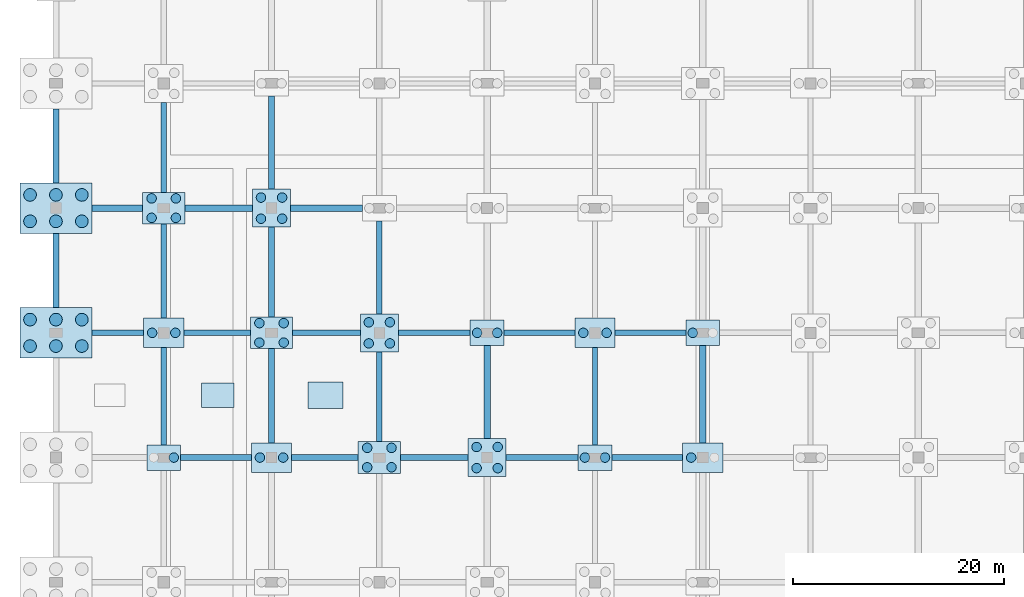
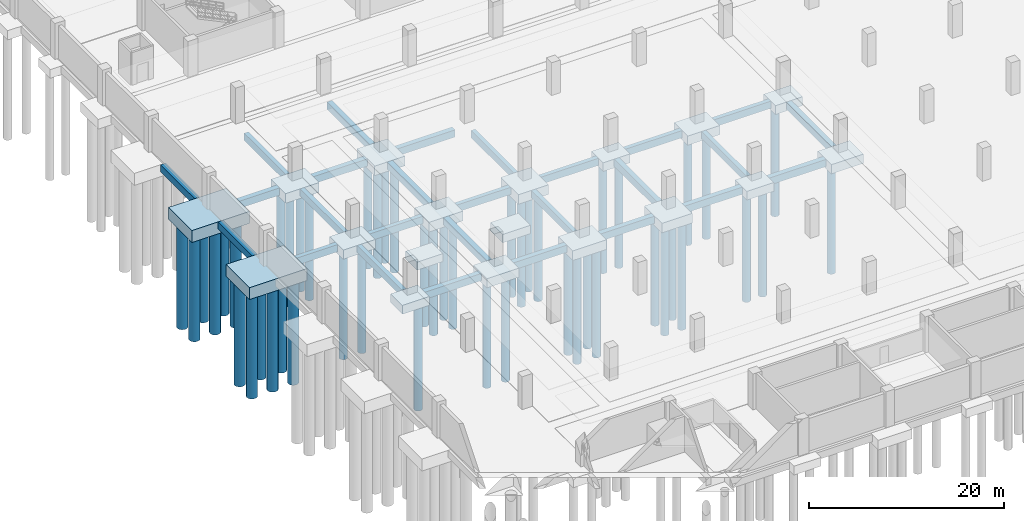
# One storey, part 5 of 52: 49 piles, 45 footings.
"""IFC4 building model written with IfcOpenShell, lengths in metres."""

from ifc_helpers import new_model, si_unit, direction, frame, origin, origin_2d, place, context, subcontext, project, spatial, polyline, rectangle, circle, outline, extrude, material, material_profile, profile_set, type_object, element, save


model = new_model("IFC4")

# Units and contexts
model_context = context("Model", 3, precision=1e-05, world=origin(), true_north=direction((0.0, 1.0)))
body_context = subcontext(model_context, "Body", "Model", "MODEL_VIEW")
ifc_project = project(units=[si_unit("LENGTHUNIT", "METRE"), si_unit("AREAUNIT", "SQUARE_METRE"), si_unit("VOLUMEUNIT", "CUBIC_METRE"), si_unit("PLANEANGLEUNIT", "RADIAN"), si_unit("MASSUNIT", "GRAM", prefix="KILO")], contexts=[model_context])

# Site, building, storey
site_placement = place(None, origin())
site = spatial("IfcSite", under=ifc_project, at=site_placement, CompositionType="ELEMENT")
building_placement = place(site_placement, origin())
building = spatial("IfcBuilding", under=site, at=building_placement, Name="Brelvane Convention Centre", CompositionType="ELEMENT")
storey_placement = place(building_placement, frame((0.0, 0.0, -4.5)))
storey = spatial("IfcBuildingStorey", under=building, at=storey_placement, Name="B1", CompositionType="ELEMENT", Elevation=-4.5)

# Piles
ifc_material_1 = material(Name="Concrete M40", Category="concrete")
ifc_material_profile_1 = material_profile(ifc_material_1, circle(Radius=0.60009765625, at=origin_2d()), Name="PILE D1200")
ifc_profile_set_1 = profile_set([ifc_material_profile_1], Name="Concrete M40")
pile_type_1 = type_object("IfcPileType", Name="Bored Pile PL-1200", PredefinedType="BORED", material=ifc_profile_set_1)
for number, where, z_axis, x_axis, name in (
    (1, (-2.449951171875, 74.75, -1.85009765625), (0.0, 0.0, -1.0), (1.0, 0.0, 0.0), "Bored Pile PL-1200 1-H-1"),
    (2, (0.0, 74.75, -1.85009765625), (0.0, 0.0, -1.0), (1.0, 0.0, 0.0), "Bored Pile PL-1200 1-H-2"),
    (3, (2.449951171875, 74.75, -1.85009765625), (0.0, 0.0, -1.0), (1.0, 0.0, 0.0), "Bored Pile PL-1200 1-H-3"),
    (4, (-2.449951171875, 77.25, -1.85009765625), (0.0, 0.0, -1.0), (1.0, 0.0, 0.0), "Bored Pile PL-1200 1-H-4"),
    (5, (0.0, 77.25, -1.85009765625), (0.0, 0.0, -1.0), (1.0, 0.0, 0.0), "Bored Pile PL-1200 1-H-5"),
    (6, (2.449951171875, 77.25, -1.85009765625), (0.0, 0.0, -1.0), (1.0, 0.0, 0.0), "Bored Pile PL-1200 1-H-6"),
    (7, (-2.449951171875, 86.550048828125, -1.85009765625), (0.0, 0.0, -1.0), (1.0, 0.0, 0.0), "Bored Pile PL-1200 1-J-1"),
    (8, (0.0, 86.550048828125, -1.85009765625), (0.0, 0.0, -1.0), (1.0, 0.0, 0.0), "Bored Pile PL-1200 1-J-2"),
    (9, (2.449951171875, 86.550048828125, -1.85009765625), (0.0, 0.0, -1.0), (1.0, 0.0, 0.0), "Bored Pile PL-1200 1-J-3"),
    (10, (-2.449951171875, 89.050048828125, -1.85009765625), (0.0, 0.0, -1.0), (1.0, 0.0, 0.0), "Bored Pile PL-1200 1-J-4"),
    (11, (0.0, 89.050048828125, -1.85009765625), (0.0, 0.0, -1.0), (1.0, 0.0, 0.0), "Bored Pile PL-1200 1-J-5"),
    (12, (2.449951171875, 89.050048828125, -1.85009765625), (0.0, 0.0, -1.0), (1.0, 0.0, 0.0), "Bored Pile PL-1200 1-J-6"),
):
    element("IfcPile", number, at=place(storey_placement, frame(where, z_axis=z_axis, x_axis=x_axis)), inside=storey, type_object=pile_type_1, Name=name, PredefinedType="BORED", context=body_context, shape_type="SweptSolid", body=[
        extrude(circle(Radius=0.60009765625, at=origin_2d()), origin(), (0.0, 0.0, 1.0), 13.14990234375),
    ])
ifc_material_2 = material(Name="Concrete M40", Category="concrete")
ifc_material_profile_2 = material_profile(ifc_material_2, circle(Radius=0.449951171875, at=origin_2d()), Name="PILE D900")
ifc_profile_set_2 = profile_set([ifc_material_profile_2], Name="Concrete M40")
pile_type_2 = type_object("IfcPileType", Name="Bored Pile PL-900", PredefinedType="BORED", material=ifc_profile_set_2)
pile_1_placement = place(storey_placement, frame((11.14990234375, 64.199951171875, -1.449951171875), z_axis=(0.0, 0.0, -1.0), x_axis=(1.0, 0.0, 0.0)))
element("IfcPile", 13, at=pile_1_placement, inside=storey, type_object=pile_type_2, Name="Bored Pile PL-900 2-G-2", PredefinedType="BORED", context=body_context, shape_type="SweptSolid", body=[
    extrude(circle(Radius=0.449951171875, at=origin_2d()), origin(), (0.0, 0.0, 1.0), 13.550048828125),
])
for number, where, z_axis, x_axis, name in (
    (14, (9.10009765625, 76.0, -1.5), (0.0, 0.0, -1.0), (1.0, 0.0, 0.0), "Bored Pile PL-900 2-H-1"),
    (15, (11.300048828125, 76.0, -1.5), (0.0, 0.0, -1.0), (1.0, 0.0, 0.0), "Bored Pile PL-900 2-H-2"),
):
    element("IfcPile", number, at=place(storey_placement, frame(where, z_axis=z_axis, x_axis=x_axis)), inside=storey, type_object=pile_type_2, Name=name, PredefinedType="BORED", context=body_context, shape_type="SweptSolid", body=[
        extrude(circle(Radius=0.449951171875, at=origin_2d()), origin(), (0.0, 0.0, 1.0), 13.5),
    ])
for number, where, z_axis, x_axis, name in (
    (16, (9.050048828125, 86.8798828125, -1.550048828125), (0.0, 0.0, -1.0), (1.0, 0.0, 0.0), "Bored Pile PL-900 2-J-1"),
    (17, (11.35009765625, 86.8798828125, -1.550048828125), (0.0, 0.0, -1.0), (1.0, 0.0, 0.0), "Bored Pile PL-900 2-J-2"),
    (18, (9.050048828125, 88.719970703125, -1.550048828125), (0.0, 0.0, -1.0), (1.0, 0.0, 0.0), "Bored Pile PL-900 2-J-3"),
    (19, (11.35009765625, 88.719970703125, -1.550048828125), (0.0, 0.0, -1.0), (1.0, 0.0, 0.0), "Bored Pile PL-900 2-J-4"),
):
    element("IfcPile", number, at=place(storey_placement, frame(where, z_axis=z_axis, x_axis=x_axis)), inside=storey, type_object=pile_type_2, Name=name, PredefinedType="BORED", context=body_context, shape_type="SweptSolid", body=[
        extrude(circle(Radius=0.449951171875, at=origin_2d()), origin(), (0.0, 0.0, 1.0), 13.449951171875),
    ])
for number, where, z_axis, x_axis, name in (
    (20, (19.300048828125, 64.199951171875, -1.5), (0.0, 0.0, -1.0), (1.0, 0.0, 0.0), "Bored Pile PL-900 3-G-1"),
    (21, (21.5, 64.199951171875, -1.5), (0.0, 0.0, -1.0), (1.0, 0.0, 0.0), "Bored Pile PL-900 3-G-2"),
):
    element("IfcPile", number, at=place(storey_placement, frame(where, z_axis=z_axis, x_axis=x_axis)), inside=storey, type_object=pile_type_2, Name=name, PredefinedType="BORED", context=body_context, shape_type="SweptSolid", body=[
        extrude(circle(Radius=0.449951171875, at=origin_2d()), origin(), (0.0, 0.0, 1.0), 13.5),
    ])
for number, where, z_axis, x_axis, name in (
    (22, (19.25, 75.080078125, -1.550048828125), (0.0, 0.0, -1.0), (1.0, 0.0, 0.0), "Bored Pile PL-900 3-H-1"),
    (23, (21.550048828125, 75.080078125, -1.550048828125), (0.0, 0.0, -1.0), (1.0, 0.0, 0.0), "Bored Pile PL-900 3-H-2"),
    (24, (19.25, 76.919921875, -1.550048828125), (0.0, 0.0, -1.0), (1.0, 0.0, 0.0), "Bored Pile PL-900 3-H-3"),
    (25, (21.550048828125, 76.919921875, -1.550048828125), (0.0, 0.0, -1.0), (1.0, 0.0, 0.0), "Bored Pile PL-900 3-H-4"),
    (26, (19.39990234375, 86.800048828125, -1.550048828125), (0.0, 0.0, -1.0), (1.0, 0.0, 0.0), "Bored Pile PL-900 3-J-1"),
    (27, (21.39990234375, 86.800048828125, -1.550048828125), (0.0, 0.0, -1.0), (1.0, 0.0, 0.0), "Bored Pile PL-900 3-J-2"),
    (28, (19.39990234375, 88.800048828125, -1.550048828125), (0.0, 0.0, -1.0), (1.0, 0.0, 0.0), "Bored Pile PL-900 3-J-3"),
    (29, (21.39990234375, 88.800048828125, -1.550048828125), (0.0, 0.0, -1.0), (1.0, 0.0, 0.0), "Bored Pile PL-900 3-J-4"),
    (30, (29.449951171875, 63.280029296875, -1.550048828125), (0.0, 0.0, -1.0), (1.0, 0.0, 0.0), "Bored Pile PL-900 4-G-1"),
    (31, (31.75, 63.280029296875, -1.550048828125), (0.0, 0.0, -1.0), (1.0, 0.0, 0.0), "Bored Pile PL-900 4-G-2"),
    (32, (29.449951171875, 65.1201171875, -1.550048828125), (0.0, 0.0, -1.0), (1.0, 0.0, 0.0), "Bored Pile PL-900 4-G-3"),
    (33, (31.75, 65.1201171875, -1.550048828125), (0.0, 0.0, -1.0), (1.0, 0.0, 0.0), "Bored Pile PL-900 4-G-4"),
    (34, (29.60009765625, 75.0, -1.550048828125), (0.0, 0.0, -1.0), (1.0, 0.0, 0.0), "Bored Pile PL-900 4-H-1"),
    (35, (31.60009765625, 75.0, -1.550048828125), (0.0, 0.0, -1.0), (1.0, 0.0, 0.0), "Bored Pile PL-900 4-H-2"),
    (36, (29.60009765625, 77.0, -1.550048828125), (0.0, 0.0, -1.0), (1.0, 0.0, 0.0), "Bored Pile PL-900 4-H-3"),
    (37, (31.60009765625, 77.0, -1.550048828125), (0.0, 0.0, -1.0), (1.0, 0.0, 0.0), "Bored Pile PL-900 4-H-4"),
    (38, (39.800048828125, 63.199951171875, -1.550048828125), (0.0, 0.0, -1.0), (1.0, 0.0, 0.0), "Bored Pile PL-900 5-G-1"),
    (39, (41.800048828125, 63.199951171875, -1.550048828125), (0.0, 0.0, -1.0), (1.0, 0.0, 0.0), "Bored Pile PL-900 5-G-2"),
    (40, (39.800048828125, 65.199951171875, -1.550048828125), (0.0, 0.0, -1.0), (1.0, 0.0, 0.0), "Bored Pile PL-900 5-G-3"),
    (41, (41.800048828125, 65.199951171875, -1.550048828125), (0.0, 0.0, -1.0), (1.0, 0.0, 0.0), "Bored Pile PL-900 5-G-4"),
):
    element("IfcPile", number, at=place(storey_placement, frame(where, z_axis=z_axis, x_axis=x_axis)), inside=storey, type_object=pile_type_2, Name=name, PredefinedType="BORED", context=body_context, shape_type="SweptSolid", body=[
        extrude(circle(Radius=0.449951171875, at=origin_2d()), origin(), (0.0, 0.0, 1.0), 13.449951171875),
    ])
for number, where, z_axis, x_axis, name in (
    (42, (39.85009765625, 76.0, -1.449951171875), (0.0, 0.0, -1.0), (1.0, 0.0, 0.0), "Bored Pile PL-900 5-H-1"),
    (43, (41.75, 76.0, -1.449951171875), (0.0, 0.0, -1.0), (1.0, 0.0, 0.0), "Bored Pile PL-900 5-H-2"),
    (44, (50.050048828125, 64.199951171875, -1.449951171875), (0.0, 0.0, -1.0), (1.0, 0.0, 0.0), "Bored Pile PL-900 6-G-1"),
    (45, (51.949951171875, 64.199951171875, -1.449951171875), (0.0, 0.0, -1.0), (1.0, 0.0, 0.0), "Bored Pile PL-900 6-G-2"),
):
    element("IfcPile", number, at=place(storey_placement, frame(where, z_axis=z_axis, x_axis=x_axis)), inside=storey, type_object=pile_type_2, Name=name, PredefinedType="BORED", context=body_context, shape_type="SweptSolid", body=[
        extrude(circle(Radius=0.449951171875, at=origin_2d()), origin(), (0.0, 0.0, 1.0), 13.550048828125),
    ])
for number, where, z_axis, x_axis, name in (
    (46, (49.89990234375, 76.0, -1.5), (0.0, 0.0, -1.0), (1.0, 0.0, 0.0), "Bored Pile PL-900 6-H-1"),
    (47, (52.10009765625, 76.0, -1.5), (0.0, 0.0, -1.0), (1.0, 0.0, 0.0), "Bored Pile PL-900 6-H-2"),
    (48, (60.10009765625, 64.199951171875, -1.5), (0.0, 0.0, -1.0), (1.0, 0.0, 0.0), "Bored Pile PL-900 7-G-1"),
):
    element("IfcPile", number, at=place(storey_placement, frame(where, z_axis=z_axis, x_axis=x_axis)), inside=storey, type_object=pile_type_2, Name=name, PredefinedType="BORED", context=body_context, shape_type="SweptSolid", body=[
        extrude(circle(Radius=0.449951171875, at=origin_2d()), origin(), (0.0, 0.0, 1.0), 13.5),
    ])
pile_2_placement = place(storey_placement, frame((60.25, 76.0, -1.449951171875), z_axis=(0.0, 0.0, -1.0), x_axis=(1.0, 0.0, 0.0)))
element("IfcPile", 49, at=pile_2_placement, inside=storey, type_object=pile_type_2, Name="Bored Pile PL-900 7-H-1", PredefinedType="BORED", context=body_context, shape_type="SweptSolid", body=[
    extrude(circle(Radius=0.449951171875, at=origin_2d()), origin(), (0.0, 0.0, 1.0), 13.550048828125),
])

# Footings
ifc_material_3 = material(Name="Concrete M40", Category="concrete")
ifc_material_profile_3 = material_profile(ifc_material_3, rectangle(XDim=0.60009765625, YDim=0.89990234375, at=origin_2d()), Name="RC 600x900")
ifc_profile_set_3 = profile_set([ifc_material_profile_3], Name="Concrete M40")
footing_type_1 = type_object("IfcFootingType", Name="Ground Tie Beam GB-1", PredefinedType="FOOTING_BEAM", material=ifc_profile_set_3)
footing_1_placement = place(storey_placement, frame((0.0, 78.39990234375, -0.89990234375), z_axis=(0.0, 1.0, 0.0), x_axis=(-1.0, 0.0, 0.0)))
element("IfcFooting", 50, at=footing_1_placement, inside=storey, type_object=footing_type_1, Name="Ground Tie Beam GB-1 1/H-J", PredefinedType="FOOTING_BEAM", context=body_context, shape_type="SweptSolid", body=[
    extrude(rectangle(XDim=0.60009765625, YDim=0.89990234375, at=origin_2d()), origin(), (0.0, 0.0, 1.0), 7.0),
])
footing_2_placement = place(storey_placement, frame((3.39990234375, 87.800048828125, -0.89990234375), z_axis=(1.0, 0.0, 0.0), x_axis=(0.0, 1.0, 0.0)))
element("IfcFooting", 51, at=footing_2_placement, inside=storey, type_object=footing_type_1, Name="Ground Tie Beam GB-1 1-2/J", PredefinedType="FOOTING_BEAM", context=body_context, shape_type="SweptSolid", body=[
    extrude(rectangle(XDim=0.60009765625, YDim=0.89990234375, at=origin_2d()), origin(), (0.0, 0.0, 1.0), 4.800048828125),
])
footing_3_placement = place(storey_placement, frame((0.0, 90.199951171875, -0.89990234375), z_axis=(0.0, 1.0, 0.0), x_axis=(-1.0, 0.0, 0.0)))
element("IfcFooting", 52, at=footing_3_placement, inside=storey, type_object=footing_type_1, Name="Ground Tie Beam GB-1 1/J-K", PredefinedType="FOOTING_BEAM", context=body_context, shape_type="SweptSolid", body=[
    extrude(rectangle(XDim=0.60009765625, YDim=0.89990234375, at=origin_2d()), origin(), (0.0, 0.0, 1.0), 7.0),
])
footing_4_placement = place(storey_placement, frame((11.800048828125, 64.199951171875, -0.89990234375), z_axis=(1.0, 0.0, 0.0), x_axis=(0.0, 1.0, 0.0)))
element("IfcFooting", 53, at=footing_4_placement, inside=storey, type_object=footing_type_1, Name="Ground Tie Beam GB-1 2-3/G", PredefinedType="FOOTING_BEAM", context=body_context, shape_type="SweptSolid", body=[
    extrude(rectangle(XDim=0.60009765625, YDim=0.89990234375, at=origin_2d()), origin(), (0.0, 0.0, 1.0), 6.699951171875),
])
footing_5_placement = place(storey_placement, frame((12.199951171875, 87.800048828125, -0.89990234375), z_axis=(1.0, 0.0, 0.0), x_axis=(0.0, 1.0, 0.0)))
element("IfcFooting", 54, at=footing_5_placement, inside=storey, type_object=footing_type_1, Name="Ground Tie Beam GB-1 2-3/J", PredefinedType="FOOTING_BEAM", context=body_context, shape_type="SweptSolid", body=[
    extrude(rectangle(XDim=0.60009765625, YDim=0.89990234375, at=origin_2d()), origin(), (0.0, 0.0, 1.0), 6.400146484375),
])
footing_6_placement = place(storey_placement, frame((22.300048828125, 64.199951171875, -0.89990234375), z_axis=(1.0, 0.0, 0.0), x_axis=(0.0, 1.0, 0.0)))
element("IfcFooting", 55, at=footing_6_placement, inside=storey, type_object=footing_type_1, Name="Ground Tie Beam GB-1 3-4/G", PredefinedType="FOOTING_BEAM", context=body_context, shape_type="SweptSolid", body=[
    extrude(rectangle(XDim=0.60009765625, YDim=0.89990234375, at=origin_2d()), origin(), (0.0, 0.0, 1.0), 6.300048828125),
])
footing_7_placement = place(storey_placement, frame((20.39990234375, 65.60009765625, -0.89990234375), z_axis=(0.0, 1.0, 0.0), x_axis=(-1.0, 0.0, 0.0)))
element("IfcFooting", 56, at=footing_7_placement, inside=storey, type_object=footing_type_1, Name="Ground Tie Beam GB-1 3/G-H", PredefinedType="FOOTING_BEAM", context=body_context, shape_type="SweptSolid", body=[
    extrude(rectangle(XDim=0.60009765625, YDim=0.89990234375, at=origin_2d()), origin(), (0.0, 0.0, 1.0), 8.89990234375),
])
footing_8_placement = place(storey_placement, frame((20.39990234375, 77.5, -0.89990234375), z_axis=(0.0, 1.0, 0.0), x_axis=(-1.0, 0.0, 0.0)))
element("IfcFooting", 57, at=footing_8_placement, inside=storey, type_object=footing_type_1, Name="Ground Tie Beam GB-1 3/H-J", PredefinedType="FOOTING_BEAM", context=body_context, shape_type="SweptSolid", body=[
    extrude(rectangle(XDim=0.60009765625, YDim=0.89990234375, at=origin_2d()), origin(), (0.0, 0.0, 1.0), 8.5),
])
footing_9_placement = place(storey_placement, frame((22.199951171875, 87.800048828125, -0.89990234375), z_axis=(1.0, 0.0, 0.0), x_axis=(0.0, 1.0, 0.0)))
element("IfcFooting", 58, at=footing_9_placement, inside=storey, type_object=footing_type_1, Name="Ground Tie Beam GB-1 3-4/J", PredefinedType="FOOTING_BEAM", context=body_context, shape_type="SweptSolid", body=[
    extrude(rectangle(XDim=0.60009765625, YDim=0.89990234375, at=origin_2d()), origin(), (0.0, 0.0, 1.0), 6.800048828125),
])
footing_10_placement = place(storey_placement, frame((20.39990234375, 89.60009765625, -0.89990234375), z_axis=(0.0, 1.0, 0.0), x_axis=(-1.0, 0.0, 0.0)))
element("IfcFooting", 59, at=footing_10_placement, inside=storey, type_object=footing_type_1, Name="Ground Tie Beam GB-1 3/J-K", PredefinedType="FOOTING_BEAM", context=body_context, shape_type="SweptSolid", body=[
    extrude(rectangle(XDim=0.60009765625, YDim=0.89990234375, at=origin_2d()), origin(), (0.0, 0.0, 1.0), 8.7998046875),
])
footing_11_placement = place(storey_placement, frame((32.60009765625, 64.199951171875, -0.89990234375), z_axis=(1.0, 0.0, 0.0), x_axis=(0.0, 1.0, 0.0)))
element("IfcFooting", 60, at=footing_11_placement, inside=storey, type_object=footing_type_1, Name="Ground Tie Beam GB-1 4-5/G", PredefinedType="FOOTING_BEAM", context=body_context, shape_type="SweptSolid", body=[
    extrude(rectangle(XDim=0.60009765625, YDim=0.89990234375, at=origin_2d()), origin(), (0.0, 0.0, 1.0), 6.39990234375),
])
footing_12_placement = place(storey_placement, frame((42.60009765625, 64.199951171875, -0.89990234375), z_axis=(1.0, 0.0, 0.0), x_axis=(0.0, 1.0, 0.0)))
element("IfcFooting", 61, at=footing_12_placement, inside=storey, type_object=footing_type_1, Name="Ground Tie Beam GB-1 5-6/G", PredefinedType="FOOTING_BEAM", context=body_context, shape_type="SweptSolid", body=[
    extrude(rectangle(XDim=0.60009765625, YDim=0.89990234375, at=origin_2d()), origin(), (0.0, 0.0, 1.0), 6.7998046875),
])
footing_13_placement = place(storey_placement, frame((40.800048828125, 66.0, -0.89990234375), z_axis=(0.0, 1.0, 0.0), x_axis=(-1.0, 0.0, 0.0)))
element("IfcFooting", 62, at=footing_13_placement, inside=storey, type_object=footing_type_1, Name="Ground Tie Beam GB-1 5/G-H", PredefinedType="FOOTING_BEAM", context=body_context, shape_type="SweptSolid", body=[
    extrude(rectangle(XDim=0.60009765625, YDim=0.89990234375, at=origin_2d()), origin(), (0.0, 0.0, 1.0), 8.800048828125),
])
footing_14_placement = place(storey_placement, frame((52.60009765625, 64.199951171875, -0.89990234375), z_axis=(1.0, 0.0, 0.0), x_axis=(0.0, 1.0, 0.0)))
element("IfcFooting", 63, at=footing_14_placement, inside=storey, type_object=footing_type_1, Name="Ground Tie Beam GB-1 6-7/G", PredefinedType="FOOTING_BEAM", context=body_context, shape_type="SweptSolid", body=[
    extrude(rectangle(XDim=0.60009765625, YDim=0.89990234375, at=origin_2d()), origin(), (0.0, 0.0, 1.0), 6.699951171875),
])
footing_15_placement = place(storey_placement, frame((61.199951171875, 65.60009765625, -0.89990234375), z_axis=(0.0, 1.0, 0.0), x_axis=(-1.0, 0.0, 0.0)))
element("IfcFooting", 64, at=footing_15_placement, inside=storey, type_object=footing_type_1, Name="Ground Tie Beam GB-1 7/G-H", PredefinedType="FOOTING_BEAM", context=body_context, shape_type="SweptSolid", body=[
    extrude(rectangle(XDim=0.60009765625, YDim=0.89990234375, at=origin_2d()), origin(), (0.0, 0.0, 1.0), 9.199951171875),
])
ifc_material_4 = material(Name="Concrete M40", Category="concrete")
ifc_material_profile_4 = material_profile(ifc_material_4, rectangle(XDim=0.5, YDim=0.89990234375, at=origin_2d()), Name="RC 500x900")
ifc_profile_set_4 = profile_set([ifc_material_profile_4], Name="Concrete M40")
footing_type_2 = type_object("IfcFootingType", Name="Ground Tie Beam GB-2", PredefinedType="FOOTING_BEAM", material=ifc_profile_set_4)
footing_16_placement = place(storey_placement, frame((3.39990234375, 76.0, -0.89990234375), z_axis=(1.0, 0.0, 0.0), x_axis=(0.0, 1.0, 0.0)))
element("IfcFooting", 65, at=footing_16_placement, inside=storey, type_object=footing_type_2, Name="Ground Tie Beam GB-2 1-2/H", PredefinedType="FOOTING_BEAM", context=body_context, shape_type="SweptSolid", body=[
    extrude(rectangle(XDim=0.5, YDim=0.89990234375, at=origin_2d()), origin(), (0.0, 0.0, 1.0), 4.900146484375),
])
footing_17_placement = place(storey_placement, frame((10.199951171875, 65.39990234375, -0.89990234375), z_axis=(0.0, 1.0, 0.0), x_axis=(-1.0, 0.0, 0.0)))
element("IfcFooting", 66, at=footing_17_placement, inside=storey, type_object=footing_type_2, Name="Ground Tie Beam GB-2 2/G-H", PredefinedType="FOOTING_BEAM", context=body_context, shape_type="SweptSolid", body=[
    extrude(rectangle(XDim=0.5, YDim=0.89990234375, at=origin_2d()), origin(), (0.0, 0.0, 1.0), 9.2001953125),
])
footing_18_placement = place(storey_placement, frame((12.10009765625, 76.0, -0.89990234375), z_axis=(1.0, 0.0, 0.0), x_axis=(0.0, 1.0, 0.0)))
element("IfcFooting", 67, at=footing_18_placement, inside=storey, type_object=footing_type_2, Name="Ground Tie Beam GB-2 2-3/H", PredefinedType="FOOTING_BEAM", context=body_context, shape_type="SweptSolid", body=[
    extrude(rectangle(XDim=0.5, YDim=0.89990234375, at=origin_2d()), origin(), (0.0, 0.0, 1.0), 6.2998046875),
])
footing_19_placement = place(storey_placement, frame((10.199951171875, 77.39990234375, -0.89990234375), z_axis=(0.0, 1.0, 0.0), x_axis=(-1.0, 0.0, 0.0)))
element("IfcFooting", 68, at=footing_19_placement, inside=storey, type_object=footing_type_2, Name="Ground Tie Beam GB-2 2/H-J", PredefinedType="FOOTING_BEAM", context=body_context, shape_type="SweptSolid", body=[
    extrude(rectangle(XDim=0.5, YDim=0.89990234375, at=origin_2d()), origin(), (0.0, 0.0, 1.0), 8.900146484375),
])
footing_20_placement = place(storey_placement, frame((10.199951171875, 89.300048828125, -0.89990234375), z_axis=(0.0, 1.0, 0.0), x_axis=(-1.0, 0.0, 0.0)))
element("IfcFooting", 69, at=footing_20_placement, inside=storey, type_object=footing_type_2, Name="Ground Tie Beam GB-2 2/J-K", PredefinedType="FOOTING_BEAM", context=body_context, shape_type="SweptSolid", body=[
    extrude(rectangle(XDim=0.5, YDim=0.89990234375, at=origin_2d()), origin(), (0.0, 0.0, 1.0), 8.5),
])
footing_21_placement = place(storey_placement, frame((22.39990234375, 76.0, -0.89990234375), z_axis=(1.0, 0.0, 0.0), x_axis=(0.0, 1.0, 0.0)))
element("IfcFooting", 70, at=footing_21_placement, inside=storey, type_object=footing_type_2, Name="Ground Tie Beam GB-2 3-4/H", PredefinedType="FOOTING_BEAM", context=body_context, shape_type="SweptSolid", body=[
    extrude(rectangle(XDim=0.5, YDim=0.89990234375, at=origin_2d()), origin(), (0.0, 0.0, 1.0), 6.400146484375),
])
footing_22_placement = place(storey_placement, frame((30.60009765625, 65.699951171875, -0.89990234375), z_axis=(0.0, 1.0, 0.0), x_axis=(-1.0, 0.0, 0.0)))
element("IfcFooting", 71, at=footing_22_placement, inside=storey, type_object=footing_type_2, Name="Ground Tie Beam GB-2 4/G-H", PredefinedType="FOOTING_BEAM", context=body_context, shape_type="SweptSolid", body=[
    extrude(rectangle(XDim=0.5, YDim=0.89990234375, at=origin_2d()), origin(), (0.0, 0.0, 1.0), 8.5),
])
footing_23_placement = place(storey_placement, frame((32.39990234375, 76.0, -0.89990234375), z_axis=(1.0, 0.0, 0.0), x_axis=(0.0, 1.0, 0.0)))
element("IfcFooting", 72, at=footing_23_placement, inside=storey, type_object=footing_type_2, Name="Ground Tie Beam GB-2 4-5/H", PredefinedType="FOOTING_BEAM", context=body_context, shape_type="SweptSolid", body=[
    extrude(rectangle(XDim=0.5, YDim=0.89990234375, at=origin_2d()), origin(), (0.0, 0.0, 1.0), 6.800048828125),
])
footing_24_placement = place(storey_placement, frame((30.60009765625, 77.800048828125, -0.89990234375), z_axis=(0.0, 1.0, 0.0), x_axis=(-1.0, 0.0, 0.0)))
element("IfcFooting", 73, at=footing_24_placement, inside=storey, type_object=footing_type_2, Name="Ground Tie Beam GB-2 4/H-J", PredefinedType="FOOTING_BEAM", context=body_context, shape_type="SweptSolid", body=[
    extrude(rectangle(XDim=0.5, YDim=0.89990234375, at=origin_2d()), origin(), (0.0, 0.0, 1.0), 8.800048828125),
])
footing_25_placement = place(storey_placement, frame((42.39990234375, 76.0, -0.89990234375), z_axis=(1.0, 0.0, 0.0), x_axis=(0.0, 1.0, 0.0)))
element("IfcFooting", 74, at=footing_25_placement, inside=storey, type_object=footing_type_2, Name="Ground Tie Beam GB-2 5-6/H", PredefinedType="FOOTING_BEAM", context=body_context, shape_type="SweptSolid", body=[
    extrude(rectangle(XDim=0.5, YDim=0.89990234375, at=origin_2d()), origin(), (0.0, 0.0, 1.0), 6.7001953125),
])
footing_26_placement = place(storey_placement, frame((51.0, 65.39990234375, -0.89990234375), z_axis=(0.0, 1.0, 0.0), x_axis=(-1.0, 0.0, 0.0)))
element("IfcFooting", 75, at=footing_26_placement, inside=storey, type_object=footing_type_2, Name="Ground Tie Beam GB-2 6/G-H", PredefinedType="FOOTING_BEAM", context=body_context, shape_type="SweptSolid", body=[
    extrude(rectangle(XDim=0.5, YDim=0.89990234375, at=origin_2d()), origin(), (0.0, 0.0, 1.0), 9.2001953125),
])
footing_27_placement = place(storey_placement, frame((52.89990234375, 76.0, -0.89990234375), z_axis=(1.0, 0.0, 0.0), x_axis=(0.0, 1.0, 0.0)))
element("IfcFooting", 76, at=footing_27_placement, inside=storey, type_object=footing_type_2, Name="Ground Tie Beam GB-2 6-7/H", PredefinedType="FOOTING_BEAM", context=body_context, shape_type="SweptSolid", body=[
    extrude(rectangle(XDim=0.5, YDim=0.89990234375, at=origin_2d()), origin(), (0.0, 0.0, 1.0), 6.7001953125),
])
ifc_material_5 = material(Name="Concrete M40", Category="concrete")
footing_type_3 = type_object("IfcFootingType", Name="Pad Footing PF-12", PredefinedType="PAD_FOOTING", material=ifc_material_5)
footing_28_placement = place(storey_placement, frame((0.0, 0.0, -1.449951171875)))
element("IfcFooting", 77, at=footing_28_placement, inside=storey, type_object=footing_type_3, Name="Sub-Slab Equipment Pad Footing PF-12", PredefinedType="PAD_FOOTING", context=body_context, shape_type="SweptSolid", body=[
    extrude(outline(polyline([(13.75, 68.949951171875), (16.85009765625, 68.949951171875), (16.85009765625, 71.25), (13.75, 71.25), (13.75, 68.949951171875)])), origin(), (0.0, 0.0, 1.0), 1.0),
])
ifc_material_6 = material(Name="Concrete M40", Category="concrete")
footing_type_4 = type_object("IfcFootingType", Name="Pad Footing PF-13", PredefinedType="PAD_FOOTING", material=ifc_material_6)
footing_29_placement = place(storey_placement, frame((0.0, 0.0, -1.489990234375)))
element("IfcFooting", 78, at=footing_29_placement, inside=storey, type_object=footing_type_4, Name="Sub-Slab Equipment Pad Footing PF-13", PredefinedType="PAD_FOOTING", context=body_context, shape_type="SweptSolid", body=[
    extrude(outline(polyline([(23.85009765625, 68.85009765625), (27.14990234375, 68.85009765625), (27.14990234375, 71.35009765625), (23.85009765625, 71.35009765625), (23.85009765625, 68.85009765625)])), origin(), (0.0, 0.0, 1.0), 1.0400390625),
])
ifc_material_7 = material(Name="Concrete M40", Category="concrete")
footing_type_5 = type_object("IfcFootingType", Name="Pile Cap PC-2", PredefinedType="PILE_CAP", material=ifc_material_7)
footing_30_placement = place(storey_placement, frame((0.0, 0.0, -1.550048828125)))
element("IfcFooting", 79, at=footing_30_placement, inside=storey, type_object=footing_type_5, Name="Pile Cap PC-2 at 2-G", PredefinedType="PILE_CAP", context=body_context, shape_type="SweptSolid", body=[
    extrude(outline(polyline([(8.60009765625, 63.0), (11.800048828125, 63.0), (11.800048828125, 65.39990234375), (8.60009765625, 65.39990234375), (8.60009765625, 63.0)])), origin(), (0.0, 0.0, 1.0), 1.10009765625),
])
footing_31_placement = place(storey_placement, frame((0.0, 0.0, -1.550048828125)))
element("IfcFooting", 80, at=footing_31_placement, inside=storey, type_object=footing_type_5, Name="Pile Cap PC-2 at 5-H", PredefinedType="PILE_CAP", context=body_context, shape_type="SweptSolid", body=[
    extrude(outline(polyline([(39.199951171875, 74.800048828125), (42.39990234375, 74.800048828125), (42.39990234375, 77.199951171875), (39.199951171875, 77.199951171875), (39.199951171875, 74.800048828125)])), origin(), (0.0, 0.0, 1.0), 1.10009765625),
])
footing_32_placement = place(storey_placement, frame((0.0, 0.0, -1.550048828125)))
element("IfcFooting", 81, at=footing_32_placement, inside=storey, type_object=footing_type_5, Name="Pile Cap PC-2 at 6-G", PredefinedType="PILE_CAP", context=body_context, shape_type="SweptSolid", body=[
    extrude(outline(polyline([(49.39990234375, 63.0), (52.60009765625, 63.0), (52.60009765625, 65.39990234375), (49.39990234375, 65.39990234375), (49.39990234375, 63.0)])), origin(), (0.0, 0.0, 1.0), 1.10009765625),
])
footing_33_placement = place(storey_placement, frame((0.0, 0.0, -1.550048828125)))
element("IfcFooting", 82, at=footing_33_placement, inside=storey, type_object=footing_type_5, Name="Pile Cap PC-2 at 7-H", PredefinedType="PILE_CAP", context=body_context, shape_type="SweptSolid", body=[
    extrude(outline(polyline([(59.60009765625, 74.800048828125), (62.800048828125, 74.800048828125), (62.800048828125, 77.199951171875), (59.60009765625, 77.199951171875), (59.60009765625, 74.800048828125)])), origin(), (0.0, 0.0, 1.0), 1.10009765625),
])
ifc_material_8 = material(Name="Concrete M40", Category="concrete")
footing_type_6 = type_object("IfcFootingType", Name="Pile Cap PC-3", PredefinedType="PILE_CAP", material=ifc_material_8)
footing_34_placement = place(storey_placement, frame((0.0, 0.0, -1.64990234375)))
element("IfcFooting", 83, at=footing_34_placement, inside=storey, type_object=footing_type_6, Name="Pile Cap PC-3 at 3-J", PredefinedType="PILE_CAP", context=body_context, shape_type="SweptSolid", body=[
    extrude(outline(polyline([(18.60009765625, 86.0), (22.199951171875, 86.0), (22.199951171875, 89.60009765625), (18.60009765625, 89.60009765625), (18.60009765625, 86.0)])), origin(), (0.0, 0.0, 1.0), 1.199951171875),
])
footing_35_placement = place(storey_placement, frame((0.0, 0.0, -1.64990234375)))
element("IfcFooting", 84, at=footing_35_placement, inside=storey, type_object=footing_type_6, Name="Pile Cap PC-3 at 4-H", PredefinedType="PILE_CAP", context=body_context, shape_type="SweptSolid", body=[
    extrude(outline(polyline([(28.800048828125, 74.199951171875), (32.39990234375, 74.199951171875), (32.39990234375, 77.800048828125), (28.800048828125, 77.800048828125), (28.800048828125, 74.199951171875)])), origin(), (0.0, 0.0, 1.0), 1.199951171875),
])
footing_36_placement = place(storey_placement, frame((0.0, 0.0, -1.64990234375)))
element("IfcFooting", 85, at=footing_36_placement, inside=storey, type_object=footing_type_6, Name="Pile Cap PC-3 at 5-G", PredefinedType="PILE_CAP", context=body_context, shape_type="SweptSolid", body=[
    extrude(outline(polyline([(39.0, 62.39990234375), (42.60009765625, 62.39990234375), (42.60009765625, 66.0), (39.0, 66.0), (39.0, 62.39990234375)])), origin(), (0.0, 0.0, 1.0), 1.199951171875),
])
ifc_material_9 = material(Name="Concrete M40", Category="concrete")
footing_type_7 = type_object("IfcFootingType", Name="Pile Cap PC-4", PredefinedType="PILE_CAP", material=ifc_material_9)
footing_37_placement = place(storey_placement, frame((0.0, 0.0, -1.64990234375)))
element("IfcFooting", 86, at=footing_37_placement, inside=storey, type_object=footing_type_7, Name="Pile Cap PC-4 at 2-J", PredefinedType="PILE_CAP", context=body_context, shape_type="SweptSolid", body=[
    extrude(outline(polyline([(8.199951171875, 86.300048828125), (12.199951171875, 86.300048828125), (12.199951171875, 89.300048828125), (8.199951171875, 89.300048828125), (8.199951171875, 86.300048828125)])), origin(), (0.0, 0.0, 1.0), 1.199951171875),
])
footing_38_placement = place(storey_placement, frame((0.0, 0.0, -1.64990234375)))
element("IfcFooting", 87, at=footing_38_placement, inside=storey, type_object=footing_type_7, Name="Pile Cap PC-4 at 3-H", PredefinedType="PILE_CAP", context=body_context, shape_type="SweptSolid", body=[
    extrude(outline(polyline([(18.39990234375, 74.5), (22.39990234375, 74.5), (22.39990234375, 77.5), (18.39990234375, 77.5), (18.39990234375, 74.5)])), origin(), (0.0, 0.0, 1.0), 1.199951171875),
])
footing_39_placement = place(storey_placement, frame((0.0, 0.0, -1.64990234375)))
element("IfcFooting", 88, at=footing_39_placement, inside=storey, type_object=footing_type_7, Name="Pile Cap PC-4 at 4-G", PredefinedType="PILE_CAP", context=body_context, shape_type="SweptSolid", body=[
    extrude(outline(polyline([(28.60009765625, 62.699951171875), (32.60009765625, 62.699951171875), (32.60009765625, 65.699951171875), (28.60009765625, 65.699951171875), (28.60009765625, 62.699951171875)])), origin(), (0.0, 0.0, 1.0), 1.199951171875),
])
ifc_material_10 = material(Name="Concrete M40", Category="concrete")
footing_type_8 = type_object("IfcFootingType", Name="Pile Cap PC-8", PredefinedType="PILE_CAP", material=ifc_material_10)
footing_40_placement = place(storey_placement, frame((0.0, 0.0, -1.949951171875)))
element("IfcFooting", 89, at=footing_40_placement, inside=storey, type_object=footing_type_8, Name="Pile Cap PC-8 at 1-H", PredefinedType="PILE_CAP", context=body_context, shape_type="SweptSolid", body=[
    extrude(outline(polyline([(-3.39990234375, 73.60009765625), (3.39990234375, 73.60009765625), (3.39990234375, 78.39990234375), (-3.39990234375, 78.39990234375), (-3.39990234375, 73.60009765625)])), origin(), (0.0, 0.0, 1.0), 1.5),
])
footing_41_placement = place(storey_placement, frame((0.0, 0.0, -1.949951171875)))
element("IfcFooting", 90, at=footing_41_placement, inside=storey, type_object=footing_type_8, Name="Pile Cap PC-8 at 1-J", PredefinedType="PILE_CAP", context=body_context, shape_type="SweptSolid", body=[
    extrude(outline(polyline([(-3.39990234375, 85.39990234375), (3.39990234375, 85.39990234375), (3.39990234375, 90.199951171875), (-3.39990234375, 90.199951171875), (-3.39990234375, 85.39990234375)])), origin(), (0.0, 0.0, 1.0), 1.5),
])
ifc_material_11 = material(Name="Concrete M40", Category="concrete")
footing_type_9 = type_object("IfcFootingType", Name="Pile Cap PC-9", PredefinedType="PILE_CAP", material=ifc_material_11)
footing_42_placement = place(storey_placement, frame((0.0, 0.0, -1.60009765625)))
element("IfcFooting", 91, at=footing_42_placement, inside=storey, type_object=footing_type_9, Name="Pile Cap PC-9 at 2-H", PredefinedType="PILE_CAP", context=body_context, shape_type="SweptSolid", body=[
    extrude(outline(polyline([(8.300048828125, 74.60009765625), (12.10009765625, 74.60009765625), (12.10009765625, 77.39990234375), (8.300048828125, 77.39990234375), (8.300048828125, 74.60009765625)])), origin(), (0.0, 0.0, 1.0), 1.150146484375),
])
footing_43_placement = place(storey_placement, frame((0.0, 0.0, -1.60009765625)))
element("IfcFooting", 92, at=footing_43_placement, inside=storey, type_object=footing_type_9, Name="Pile Cap PC-9 at 3-G", PredefinedType="PILE_CAP", context=body_context, shape_type="SweptSolid", body=[
    extrude(outline(polyline([(18.5, 62.800048828125), (22.300048828125, 62.800048828125), (22.300048828125, 65.60009765625), (18.5, 65.60009765625), (18.5, 62.800048828125)])), origin(), (0.0, 0.0, 1.0), 1.150146484375),
])
footing_44_placement = place(storey_placement, frame((0.0, 0.0, -1.60009765625)))
element("IfcFooting", 93, at=footing_44_placement, inside=storey, type_object=footing_type_9, Name="Pile Cap PC-9 at 6-H", PredefinedType="PILE_CAP", context=body_context, shape_type="SweptSolid", body=[
    extrude(outline(polyline([(49.10009765625, 74.60009765625), (52.89990234375, 74.60009765625), (52.89990234375, 77.39990234375), (49.10009765625, 77.39990234375), (49.10009765625, 74.60009765625)])), origin(), (0.0, 0.0, 1.0), 1.150146484375),
])
footing_45_placement = place(storey_placement, frame((0.0, 0.0, -1.60009765625)))
element("IfcFooting", 94, at=footing_45_placement, inside=storey, type_object=footing_type_9, Name="Pile Cap PC-9 at 7-G", PredefinedType="PILE_CAP", context=body_context, shape_type="SweptSolid", body=[
    extrude(outline(polyline([(59.300048828125, 62.800048828125), (63.10009765625, 62.800048828125), (63.10009765625, 65.60009765625), (59.300048828125, 65.60009765625), (59.300048828125, 62.800048828125)])), origin(), (0.0, 0.0, 1.0), 1.150146484375),
])

save(model, "model.ifc")
